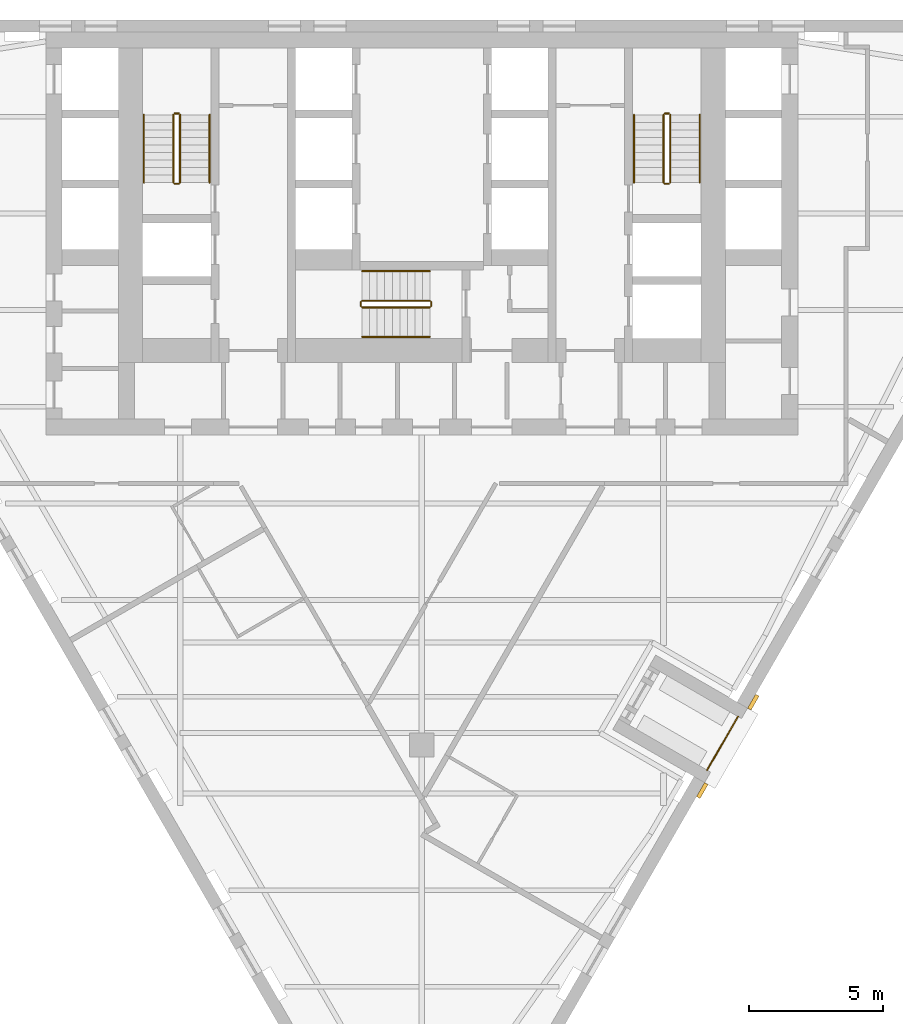
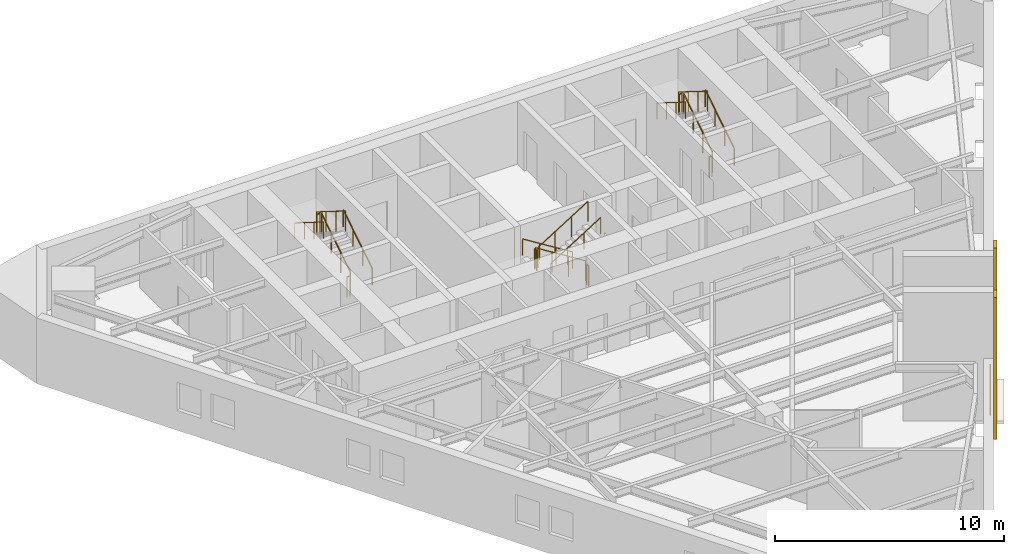
# One storey, part 7 of 7: 19 railings, 2 coverings.
"""IFC4 building model written with IfcOpenShell, lengths in metres."""

from ifc_helpers import new_model, si_unit, direction, frame, origin, origin_2d, place, context, subcontext, project, spatial, polyline, circle, outline, extrude, material, layer, layer_set, type_object, element, save


model = new_model("IFC4")

# Units and contexts
model_context = context("Model", 3, precision=1e-05, world=origin(), true_north=direction((0.0, 1.0)))
body_context = subcontext(model_context, "Body", "Model", "MODEL_VIEW")
ifc_project = project(units=[si_unit("LENGTHUNIT", "METRE"), si_unit("AREAUNIT", "SQUARE_METRE"), si_unit("VOLUMEUNIT", "CUBIC_METRE"), si_unit("PLANEANGLEUNIT", "RADIAN"), si_unit("MASSUNIT", "GRAM", prefix="KILO")], contexts=[model_context])

# Site, building, storey
site_placement = place(None, origin())
site = spatial("IfcSite", under=ifc_project, at=site_placement, CompositionType="ELEMENT")
building_placement = place(site_placement, origin())
building = spatial("IfcBuilding", under=site, at=building_placement, Name="Aloe Facet Convention Tower", CompositionType="ELEMENT")
storey_placement = place(building_placement, frame((0.0, 0.0, 113.300048828125)))
storey = spatial("IfcBuildingStorey", under=building, at=storey_placement, Name="L28", CompositionType="ELEMENT", Elevation=113.300048828125)

# Railings
ifc_material_1 = material(Name="Steel S355 balustrade", Category="steel")
railing_type_1 = type_object("IfcRailingType", Name="CR-RL-GUARD", PredefinedType="GUARDRAIL", material=ifc_material_1)
railing_1_placement = place(storey_placement, frame((71.0, 128.949951171875, 0.175048828125)))
element("IfcRailing", 1, at=railing_1_placement, inside=storey, type_object=railing_type_1, Name="L28 ST1 stair guard 1", PredefinedType="GUARDRAIL", context=body_context, shape_type="SweptSolid", body=[
    extrude(circle(Radius=0.02392578125, at=origin_2d()), frame((0.0, 0.0, 1.076171875), z_axis=(0.0, 0.848007534815, 0.529984170421), x_axis=(-1.0, 0.0, 0.0)), (0.0, 0.0, 1.0), 2.9716796875),
    extrude(circle(Radius=0.02099609375, at=origin_2d()), origin(), (0.0, 0.0, 1.0), 1.052001953125),
    extrude(circle(Radius=0.02099609375, at=origin_2d()), frame((0.0, 0.840087890625, 0.52490234375)), (0.0, 0.0, 1.0), 1.052001953125),
    extrude(circle(Radius=0.02099609375, at=origin_2d()), frame((0.0, 1.679931640625, 1.050048828125)), (0.0, 0.0, 1.0), 1.052001953125),
    extrude(circle(Radius=0.02099609375, at=origin_2d()), frame((0.0, 2.52001953125, 1.574951171875)), (0.0, 0.0, 1.0), 1.052001953125),
])
railing_2_placement = place(storey_placement, frame((70.949951171875, 131.52001953125, 1.75)))
element("IfcRailing", 2, at=railing_2_placement, inside=storey, type_object=railing_type_1, Name="L28 ST1 stair guard 2", PredefinedType="GUARDRAIL", context=body_context, shape_type="SweptSolid", body=[
    extrude(circle(Radius=0.02392578125, at=origin_2d()), frame((0.0, 0.0, 1.076171875), z_axis=(-1.0, 0.0, 0.0), x_axis=(0.0, -1.0, 0.0)), (0.0, 0.0, 1.0), 0.14990234375),
    extrude(circle(Radius=0.02099609375, at=origin_2d()), origin(), (0.0, 0.0, 1.0), 1.052001953125),
    extrude(circle(Radius=0.02099609375, at=origin_2d()), frame((-0.14990234375, 0.0, 0.0)), (0.0, 0.0, 1.0), 1.052001953125),
])
railing_3_placement = place(storey_placement, frame((70.75, 131.469970703125, 1.925048828125)))
element("IfcRailing", 3, at=railing_3_placement, inside=storey, type_object=railing_type_1, Name="L28 ST1 stair guard 3", PredefinedType="GUARDRAIL", context=body_context, shape_type="SweptSolid", body=[
    extrude(circle(Radius=0.02392578125, at=origin_2d()), frame((0.0, 0.0, 1.076171875), z_axis=(0.0, -0.848007534815, 0.529984170421), x_axis=(1.0, 0.0, 0.0)), (0.0, 0.0, 1.0), 2.9716796875),
    extrude(circle(Radius=0.02099609375, at=origin_2d()), origin(), (0.0, 0.0, 1.0), 1.052001953125),
    extrude(circle(Radius=0.02099609375, at=origin_2d()), frame((0.0, -0.840087890625, 0.52490234375)), (0.0, 0.0, 1.0), 1.052001953125),
    extrude(circle(Radius=0.02099609375, at=origin_2d()), frame((0.0, -1.679931640625, 1.050048828125)), (0.0, 0.0, 1.0), 1.052001953125),
    extrude(circle(Radius=0.02099609375, at=origin_2d()), frame((0.0, -2.52001953125, 1.574951171875)), (0.0, 0.0, 1.0), 1.052001953125),
])
railing_4_placement = place(storey_placement, frame((70.949951171875, 128.89990234375, 0.0)))
element("IfcRailing", 4, at=railing_4_placement, inside=storey, type_object=railing_type_1, Name="L28 ST1 stair guard 4", PredefinedType="GUARDRAIL", context=body_context, shape_type="SweptSolid", body=[
    extrude(circle(Radius=0.02392578125, at=origin_2d()), frame((0.0, 0.0, 1.076171875), z_axis=(-1.0, 0.0, 0.0), x_axis=(0.0, -1.0, 0.0)), (0.0, 0.0, 1.0), 0.14990234375),
    extrude(circle(Radius=0.02099609375, at=origin_2d()), origin(), (0.0, 0.0, 1.0), 1.052001953125),
    extrude(circle(Radius=0.02099609375, at=origin_2d()), frame((-0.14990234375, 0.0, 0.0)), (0.0, 0.0, 1.0), 1.052001953125),
])
railing_5_placement = place(storey_placement, frame((89.25, 128.949951171875, 0.175048828125)))
element("IfcRailing", 5, at=railing_5_placement, inside=storey, type_object=railing_type_1, Name="L28 ST2 stair guard 1", PredefinedType="GUARDRAIL", context=body_context, shape_type="SweptSolid", body=[
    extrude(circle(Radius=0.02392578125, at=origin_2d()), frame((0.0, 0.0, 1.076171875), z_axis=(0.0, 0.848007534815, 0.529984170421), x_axis=(-1.0, 0.0, 0.0)), (0.0, 0.0, 1.0), 2.9716796875),
    extrude(circle(Radius=0.02099609375, at=origin_2d()), origin(), (0.0, 0.0, 1.0), 1.052001953125),
    extrude(circle(Radius=0.02099609375, at=origin_2d()), frame((0.0, 0.840087890625, 0.52490234375)), (0.0, 0.0, 1.0), 1.052001953125),
    extrude(circle(Radius=0.02099609375, at=origin_2d()), frame((0.0, 1.679931640625, 1.050048828125)), (0.0, 0.0, 1.0), 1.052001953125),
    extrude(circle(Radius=0.02099609375, at=origin_2d()), frame((0.0, 2.52001953125, 1.574951171875)), (0.0, 0.0, 1.0), 1.052001953125),
])
railing_6_placement = place(storey_placement, frame((89.199951171875, 131.52001953125, 1.75)))
element("IfcRailing", 6, at=railing_6_placement, inside=storey, type_object=railing_type_1, Name="L28 ST2 stair guard 2", PredefinedType="GUARDRAIL", context=body_context, shape_type="SweptSolid", body=[
    extrude(circle(Radius=0.02392578125, at=origin_2d()), frame((0.0, 0.0, 1.076171875), z_axis=(-1.0, 0.0, 0.0), x_axis=(0.0, -1.0, 0.0)), (0.0, 0.0, 1.0), 0.14990234375),
    extrude(circle(Radius=0.02099609375, at=origin_2d()), origin(), (0.0, 0.0, 1.0), 1.052001953125),
    extrude(circle(Radius=0.02099609375, at=origin_2d()), frame((-0.14990234375, 0.0, 0.0)), (0.0, 0.0, 1.0), 1.052001953125),
])
railing_7_placement = place(storey_placement, frame((89.0, 131.469970703125, 1.925048828125)))
element("IfcRailing", 7, at=railing_7_placement, inside=storey, type_object=railing_type_1, Name="L28 ST2 stair guard 3", PredefinedType="GUARDRAIL", context=body_context, shape_type="SweptSolid", body=[
    extrude(circle(Radius=0.02392578125, at=origin_2d()), frame((0.0, 0.0, 1.076171875), z_axis=(0.0, -0.848007534815, 0.529984170421), x_axis=(1.0, 0.0, 0.0)), (0.0, 0.0, 1.0), 2.9716796875),
    extrude(circle(Radius=0.02099609375, at=origin_2d()), origin(), (0.0, 0.0, 1.0), 1.052001953125),
    extrude(circle(Radius=0.02099609375, at=origin_2d()), frame((0.0, -0.840087890625, 0.52490234375)), (0.0, 0.0, 1.0), 1.052001953125),
    extrude(circle(Radius=0.02099609375, at=origin_2d()), frame((0.0, -1.679931640625, 1.050048828125)), (0.0, 0.0, 1.0), 1.052001953125),
    extrude(circle(Radius=0.02099609375, at=origin_2d()), frame((0.0, -2.52001953125, 1.574951171875)), (0.0, 0.0, 1.0), 1.052001953125),
])
railing_8_placement = place(storey_placement, frame((89.199951171875, 128.89990234375, 0.0)))
element("IfcRailing", 8, at=railing_8_placement, inside=storey, type_object=railing_type_1, Name="L28 ST2 stair guard 4", PredefinedType="GUARDRAIL", context=body_context, shape_type="SweptSolid", body=[
    extrude(circle(Radius=0.02392578125, at=origin_2d()), frame((0.0, 0.0, 1.076171875), z_axis=(-1.0, 0.0, 0.0), x_axis=(0.0, -1.0, 0.0)), (0.0, 0.0, 1.0), 0.14990234375),
    extrude(circle(Radius=0.02099609375, at=origin_2d()), origin(), (0.0, 0.0, 1.0), 1.052001953125),
    extrude(circle(Radius=0.02099609375, at=origin_2d()), frame((-0.14990234375, 0.0, 0.0)), (0.0, 0.0, 1.0), 1.052001953125),
])
railing_9_placement = place(storey_placement, frame((80.300048828125, 124.550048828125, 0.175048828125)))
element("IfcRailing", 9, at=railing_9_placement, inside=storey, type_object=railing_type_1, Name="L28 ST3 stair guard 1", PredefinedType="GUARDRAIL", context=body_context, shape_type="SweptSolid", body=[
    extrude(circle(Radius=0.02392578125, at=origin_2d()), frame((0.0, 0.0, 1.076171875), z_axis=(-0.848007534815, 0.0, 0.529984170421), x_axis=(0.0, -1.0, 0.0)), (0.0, 0.0, 1.0), 2.9716796875),
    extrude(circle(Radius=0.02099609375, at=origin_2d()), origin(), (0.0, 0.0, 1.0), 1.052001953125),
    extrude(circle(Radius=0.02099609375, at=origin_2d()), frame((-0.840087890625, 0.0, 0.52490234375)), (0.0, 0.0, 1.0), 1.052001953125),
    extrude(circle(Radius=0.02099609375, at=origin_2d()), frame((-1.679931640625, 0.0, 1.050048828125)), (0.0, 0.0, 1.0), 1.052001953125),
    extrude(circle(Radius=0.02099609375, at=origin_2d()), frame((-2.52001953125, 0.0, 1.574951171875)), (0.0, 0.0, 1.0), 1.052001953125),
])
railing_10_placement = place(storey_placement, frame((77.72998046875, 124.5, 1.75)))
element("IfcRailing", 10, at=railing_10_placement, inside=storey, type_object=railing_type_1, Name="L28 ST3 stair guard 2", PredefinedType="GUARDRAIL", context=body_context, shape_type="SweptSolid", body=[
    extrude(circle(Radius=0.02392578125, at=origin_2d()), frame((0.0, 0.0, 1.076171875), z_axis=(0.0, -1.0, 0.0), x_axis=(1.0, 0.0, 0.0)), (0.0, 0.0, 1.0), 0.14990234375),
    extrude(circle(Radius=0.02099609375, at=origin_2d()), origin(), (0.0, 0.0, 1.0), 1.052001953125),
    extrude(circle(Radius=0.02099609375, at=origin_2d()), frame((0.0, -0.14990234375, 0.0)), (0.0, 0.0, 1.0), 1.052001953125),
])
railing_11_placement = place(storey_placement, frame((77.780029296875, 124.300048828125, 1.925048828125)))
element("IfcRailing", 11, at=railing_11_placement, inside=storey, type_object=railing_type_1, Name="L28 ST3 stair guard 3", PredefinedType="GUARDRAIL", context=body_context, shape_type="SweptSolid", body=[
    extrude(circle(Radius=0.02392578125, at=origin_2d()), frame((0.0, 0.0, 1.076171875), z_axis=(0.848007534815, 0.0, 0.529984170421), x_axis=(0.0, 1.0, 0.0)), (0.0, 0.0, 1.0), 2.9716796875),
    extrude(circle(Radius=0.02099609375, at=origin_2d()), origin(), (0.0, 0.0, 1.0), 1.052001953125),
    extrude(circle(Radius=0.02099609375, at=origin_2d()), frame((0.840087890625, 0.0, 0.52490234375)), (0.0, 0.0, 1.0), 1.052001953125),
    extrude(circle(Radius=0.02099609375, at=origin_2d()), frame((1.679931640625, 0.0, 1.050048828125)), (0.0, 0.0, 1.0), 1.052001953125),
    extrude(circle(Radius=0.02099609375, at=origin_2d()), frame((2.52001953125, 0.0, 1.574951171875)), (0.0, 0.0, 1.0), 1.052001953125),
])
railing_12_placement = place(storey_placement, frame((80.35009765625, 124.5, 0.0)))
element("IfcRailing", 12, at=railing_12_placement, inside=storey, type_object=railing_type_1, Name="L28 ST3 stair guard 4", PredefinedType="GUARDRAIL", context=body_context, shape_type="SweptSolid", body=[
    extrude(circle(Radius=0.02392578125, at=origin_2d()), frame((0.0, 0.0, 1.076171875), z_axis=(0.0, -1.0, 0.0), x_axis=(1.0, 0.0, 0.0)), (0.0, 0.0, 1.0), 0.14990234375),
    extrude(circle(Radius=0.02099609375, at=origin_2d()), origin(), (0.0, 0.0, 1.0), 1.052001953125),
    extrude(circle(Radius=0.02099609375, at=origin_2d()), frame((0.0, -0.14990234375, 0.0)), (0.0, 0.0, 1.0), 1.052001953125),
])
ifc_material_2 = material(Name="Steel S355 handrail", Category="steel")
railing_type_2 = type_object("IfcRailingType", Name="CR-RL-HAND", PredefinedType="HANDRAIL", material=ifc_material_2)
railing_13_placement = place(storey_placement, frame((72.10009765625, 128.949951171875, 0.175048828125)))
element("IfcRailing", 13, at=railing_13_placement, inside=storey, type_object=railing_type_2, Name="L28 ST1 stair handrail 1", PredefinedType="HANDRAIL", context=body_context, shape_type="SweptSolid", body=[
    extrude(circle(Radius=0.02392578125, at=origin_2d()), frame((0.0, 0.0, 0.8759765625), z_axis=(0.0, 0.848007534815, 0.529984170421), x_axis=(-1.0, 0.0, 0.0)), (0.0, 0.0, 1.0), 2.9716796875),
    extrude(circle(Radius=0.02099609375, at=origin_2d()), origin(), (0.0, 0.0, 1.0), 0.851806640625),
    extrude(circle(Radius=0.02099609375, at=origin_2d()), frame((0.0, 0.840087890625, 0.52490234375)), (0.0, 0.0, 1.0), 0.851806640625),
    extrude(circle(Radius=0.02099609375, at=origin_2d()), frame((0.0, 1.679931640625, 1.050048828125)), (0.0, 0.0, 1.0), 0.851806640625),
    extrude(circle(Radius=0.02099609375, at=origin_2d()), frame((0.0, 2.52001953125, 1.574951171875)), (0.0, 0.0, 1.0), 0.851806640625),
])
railing_14_placement = place(storey_placement, frame((69.64990234375, 131.469970703125, 1.925048828125)))
element("IfcRailing", 14, at=railing_14_placement, inside=storey, type_object=railing_type_2, Name="L28 ST1 stair handrail 2", PredefinedType="HANDRAIL", context=body_context, shape_type="SweptSolid", body=[
    extrude(circle(Radius=0.02392578125, at=origin_2d()), frame((0.0, 0.0, 0.8759765625), z_axis=(0.0, -0.848007534815, 0.529984170421), x_axis=(1.0, 0.0, 0.0)), (0.0, 0.0, 1.0), 2.9716796875),
    extrude(circle(Radius=0.02099609375, at=origin_2d()), origin(), (0.0, 0.0, 1.0), 0.851806640625),
    extrude(circle(Radius=0.02099609375, at=origin_2d()), frame((0.0, -0.840087890625, 0.52490234375)), (0.0, 0.0, 1.0), 0.851806640625),
    extrude(circle(Radius=0.02099609375, at=origin_2d()), frame((0.0, -1.679931640625, 1.050048828125)), (0.0, 0.0, 1.0), 0.851806640625),
    extrude(circle(Radius=0.02099609375, at=origin_2d()), frame((0.0, -2.52001953125, 1.574951171875)), (0.0, 0.0, 1.0), 0.851806640625),
])
railing_15_placement = place(storey_placement, frame((90.35009765625, 128.949951171875, 0.175048828125)))
element("IfcRailing", 15, at=railing_15_placement, inside=storey, type_object=railing_type_2, Name="L28 ST2 stair handrail 1", PredefinedType="HANDRAIL", context=body_context, shape_type="SweptSolid", body=[
    extrude(circle(Radius=0.02392578125, at=origin_2d()), frame((0.0, 0.0, 0.8759765625), z_axis=(0.0, 0.848007534815, 0.529984170421), x_axis=(-1.0, 0.0, 0.0)), (0.0, 0.0, 1.0), 2.9716796875),
    extrude(circle(Radius=0.02099609375, at=origin_2d()), origin(), (0.0, 0.0, 1.0), 0.851806640625),
    extrude(circle(Radius=0.02099609375, at=origin_2d()), frame((0.0, 0.840087890625, 0.52490234375)), (0.0, 0.0, 1.0), 0.851806640625),
    extrude(circle(Radius=0.02099609375, at=origin_2d()), frame((0.0, 1.679931640625, 1.050048828125)), (0.0, 0.0, 1.0), 0.851806640625),
    extrude(circle(Radius=0.02099609375, at=origin_2d()), frame((0.0, 2.52001953125, 1.574951171875)), (0.0, 0.0, 1.0), 0.851806640625),
])
railing_16_placement = place(storey_placement, frame((87.89990234375, 131.469970703125, 1.925048828125)))
element("IfcRailing", 16, at=railing_16_placement, inside=storey, type_object=railing_type_2, Name="L28 ST2 stair handrail 2", PredefinedType="HANDRAIL", context=body_context, shape_type="SweptSolid", body=[
    extrude(circle(Radius=0.02392578125, at=origin_2d()), frame((0.0, 0.0, 0.8759765625), z_axis=(0.0, -0.848007534815, 0.529984170421), x_axis=(1.0, 0.0, 0.0)), (0.0, 0.0, 1.0), 2.9716796875),
    extrude(circle(Radius=0.02099609375, at=origin_2d()), origin(), (0.0, 0.0, 1.0), 0.851806640625),
    extrude(circle(Radius=0.02099609375, at=origin_2d()), frame((0.0, -0.840087890625, 0.52490234375)), (0.0, 0.0, 1.0), 0.851806640625),
    extrude(circle(Radius=0.02099609375, at=origin_2d()), frame((0.0, -1.679931640625, 1.050048828125)), (0.0, 0.0, 1.0), 0.851806640625),
    extrude(circle(Radius=0.02099609375, at=origin_2d()), frame((0.0, -2.52001953125, 1.574951171875)), (0.0, 0.0, 1.0), 0.851806640625),
])
railing_17_placement = place(storey_placement, frame((80.300048828125, 125.64990234375, 0.175048828125)))
element("IfcRailing", 17, at=railing_17_placement, inside=storey, type_object=railing_type_2, Name="L28 ST3 stair handrail 1", PredefinedType="HANDRAIL", context=body_context, shape_type="SweptSolid", body=[
    extrude(circle(Radius=0.02392578125, at=origin_2d()), frame((0.0, 0.0, 0.8759765625), z_axis=(-0.848007534815, 0.0, 0.529984170421), x_axis=(0.0, -1.0, 0.0)), (0.0, 0.0, 1.0), 2.9716796875),
    extrude(circle(Radius=0.02099609375, at=origin_2d()), origin(), (0.0, 0.0, 1.0), 0.851806640625),
    extrude(circle(Radius=0.02099609375, at=origin_2d()), frame((-0.840087890625, 0.0, 0.52490234375)), (0.0, 0.0, 1.0), 0.851806640625),
    extrude(circle(Radius=0.02099609375, at=origin_2d()), frame((-1.679931640625, 0.0, 1.050048828125)), (0.0, 0.0, 1.0), 0.851806640625),
    extrude(circle(Radius=0.02099609375, at=origin_2d()), frame((-2.52001953125, 0.0, 1.574951171875)), (0.0, 0.0, 1.0), 0.851806640625),
])
railing_18_placement = place(storey_placement, frame((77.780029296875, 123.199951171875, 1.925048828125)))
element("IfcRailing", 18, at=railing_18_placement, inside=storey, type_object=railing_type_2, Name="L28 ST3 stair handrail 2", PredefinedType="HANDRAIL", context=body_context, shape_type="SweptSolid", body=[
    extrude(circle(Radius=0.02392578125, at=origin_2d()), frame((0.0, 0.0, 0.8759765625), z_axis=(0.848007534815, 0.0, 0.529984170421), x_axis=(0.0, 1.0, 0.0)), (0.0, 0.0, 1.0), 2.9716796875),
    extrude(circle(Radius=0.02099609375, at=origin_2d()), origin(), (0.0, 0.0, 1.0), 0.851806640625),
    extrude(circle(Radius=0.02099609375, at=origin_2d()), frame((0.840087890625, 0.0, 0.52490234375)), (0.0, 0.0, 1.0), 0.851806640625),
    extrude(circle(Radius=0.02099609375, at=origin_2d()), frame((1.679931640625, 0.0, 1.050048828125)), (0.0, 0.0, 1.0), 0.851806640625),
    extrude(circle(Radius=0.02099609375, at=origin_2d()), frame((2.52001953125, 0.0, 1.574951171875)), (0.0, 0.0, 1.0), 0.851806640625),
])

# Coverings
ifc_material_3 = material(Name="Bronze oxide fascia sheet")
ifc_layer = layer(ifc_material_3, 0.14990234375)
ifc_layer_set = layer_set([ifc_layer], Name="EV-FASCIA-TERR")
covering_type = type_object("IfcCoveringType", Name="EV-FASCIA-TERR", PredefinedType="CLADDING", material=ifc_layer_set)
covering_1_placement = place(storey_placement, frame((0.0, 0.0, -0.550048828125)))
element("IfcCovering", 19, at=covering_1_placement, inside=storey, type_object=covering_type, Name="Terrace frame T06 1", PredefinedType="CLADDING", context=body_context, shape_type="SweptSolid", body=[
    extrude(outline(polyline([(90.3583984375, 106.011962890625), (90.658447265625, 106.53173828125), (90.528564453125, 106.606689453125), (90.228515625, 106.0869140625), (90.3583984375, 106.011962890625)])), origin(), (0.0, 0.0, 1.0), 7.550048828125),
])
covering_2_placement = place(storey_placement, frame((0.0, 0.0, -0.550048828125)))
element("IfcCovering", 20, at=covering_2_placement, inside=storey, type_object=covering_type, Name="Terrace frame T06 2", PredefinedType="CLADDING", context=body_context, shape_type="SweptSolid", body=[
    extrude(outline(polyline([(92.258544921875, 109.302978515625), (92.55859375, 109.822509765625), (92.4287109375, 109.8974609375), (92.128662109375, 109.3779296875), (92.258544921875, 109.302978515625)])), origin(), (0.0, 0.0, 1.0), 7.550048828125),
])

# Railing
ifc_material_4 = material(Name="Steel S355, bronze oxide finish", Category="steel")
railing_type_3 = type_object("IfcRailingType", Name="EV-GUARD-TERR", PredefinedType="GUARDRAIL", material=ifc_material_4)
railing_19_placement = place(storey_placement, frame((90.623779296875, 107.0712890625, 0.0)))
element("IfcRailing", 21, at=railing_19_placement, inside=storey, type_object=railing_type_3, Name="GUARD T06", PredefinedType="GUARDRAIL", context=body_context, shape_type="SweptSolid", body=[
    extrude(circle(Radius=0.02392578125, at=origin_2d()), frame((0.0, 0.0, 1.076171875), z_axis=(0.499952165731, 0.866053019151, 0.0), x_axis=(-0.866053019151, 0.499952165731, 0.0)), (0.0, 0.0, 1.0), 2.300048828125),
    extrude(circle(Radius=0.02099609375, at=origin_2d()), origin(), (0.0, 0.0, 1.0), 1.052001953125),
    extrude(circle(Radius=0.02099609375, at=origin_2d()), frame((0.574951171875, 0.99609375, 0.0)), (0.0, 0.0, 1.0), 1.052001953125),
    extrude(circle(Radius=0.02099609375, at=origin_2d()), frame((1.14990234375, 1.991943359375, 0.0)), (0.0, 0.0, 1.0), 1.052001953125),
])

save(model, "model.ifc")
